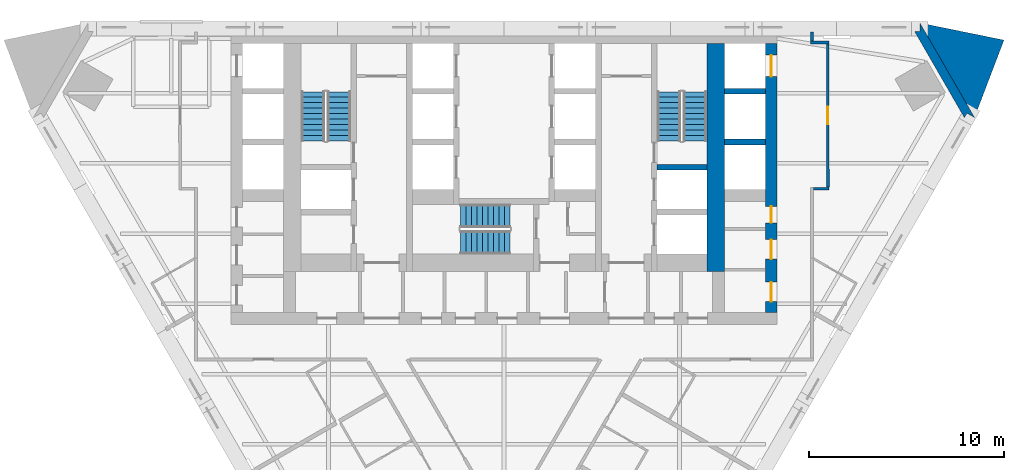
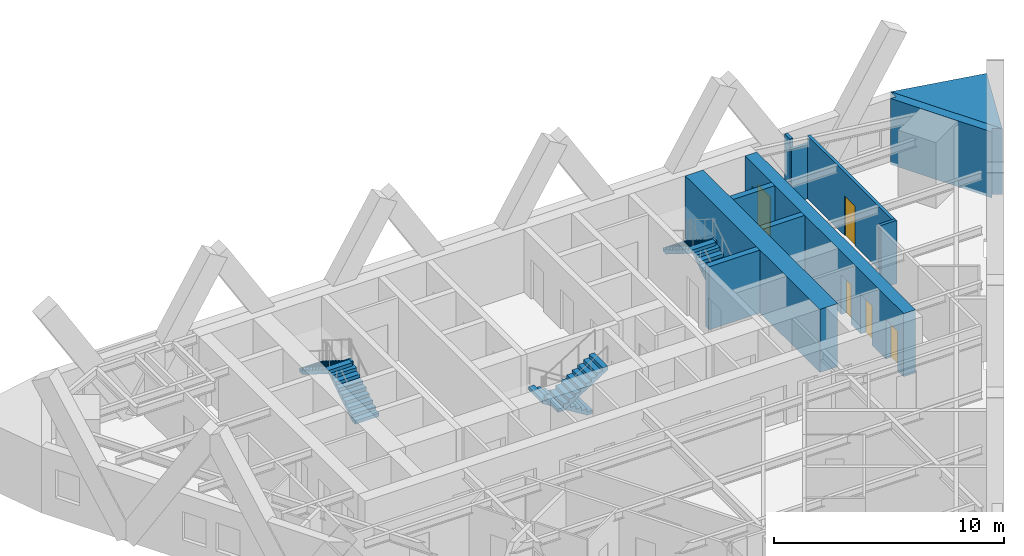
# One storey, part 7 of 8: 11 walls, 6 stair flights, 5 doors, 5 openings, 3 elements without a shape of their own.
"""IFC4 building model written with IfcOpenShell, lengths in metres."""

import ifcopenshell
import ifcopenshell.guid

model = None  # the IFC model being written
_history = None  # IfcOwnerHistory: only IFC2X3 demands one
_inside = {}  # id of a spatial element -> (the spatial element, [elements in it])
_under = {}  # id of a project, library or spatial element -> (it, [spatial elements below it])
_declared = {}  # id of a project -> (the project, [libraries it declares])
_typed = {}  # id of a type object -> (the type object, [elements of that type])
_made_of = {}  # id of a material, layer set ... -> (it, [elements and type objects made of it])


def new_model(schema):
    """Start an empty IFC model of exactly this schema.

    Asked for "IFC4X3", IfcOpenShell would pick the latest addendum, in which some entities
    have other attributes; the version numbers below select the first issue.
    IFC2X3 requires an IfcOwnerHistory on every rooted entity: one is made here for all.
    """
    global model, _history
    if schema == "IFC4X3":
        model = ifcopenshell.file(schema_version=(4, 3, 0, 0))
    else:
        model = ifcopenshell.file(schema=schema)
    _inside.clear()
    _under.clear()
    _declared.clear()
    _typed.clear()
    _made_of.clear()
    _history = None
    if model.schema == "IFC2X3":
        org = make("IfcOrganization", Name="unknown")
        user = make(
            "IfcPersonAndOrganization",
            ThePerson=make("IfcPerson", FamilyName="unknown"),
            TheOrganization=org,
        )
        app = make(
            "IfcApplication",
            ApplicationDeveloper=org,
            Version="unknown",
            ApplicationFullName="unknown",
            ApplicationIdentifier="unknown",
        )
        _history = make(
            "IfcOwnerHistory",
            OwningUser=user,
            OwningApplication=app,
            ChangeAction="ADDED",
            CreationDate=0,
        )
    return model


def make(cls, **values):
    """One entity of the class cls with the attributes given. An attribute that is None is left unset."""
    return model.create_entity(
        cls, **{name: value for name, value in values.items() if value is not None}
    )


def rooted(cls, **values):
    """An entity with a GlobalId (a new one), such as an element, a storey or a relation."""
    return make(cls, GlobalId=ifcopenshell.guid.new(), OwnerHistory=_history, **values)


def si_unit(unit_type, name, prefix=None):
    """IfcSIUnit, for example si_unit("LENGTHUNIT", "METRE", prefix="MILLI")."""
    return make("IfcSIUnit", UnitType=unit_type, Prefix=prefix, Name=name)


def assignment(units):
    """IfcUnitAssignment: the units of a project."""
    return None if units is None else make("IfcUnitAssignment", Units=units)


def point(xyz):
    """IfcCartesianPoint."""
    return None if xyz is None else make("IfcCartesianPoint", Coordinates=xyz)


def direction(xyz):
    """IfcDirection."""
    return None if xyz is None else make("IfcDirection", DirectionRatios=xyz)


def frame(location, z_axis=None, x_axis=None):
    """IfcAxis2Placement3D, a coordinate frame: its origin and axes. An axis left out is left unset."""
    return make(
        "IfcAxis2Placement3D",
        Location=point(location),
        Axis=direction(z_axis),
        RefDirection=direction(x_axis),
    )


def frame_2d(location, x_axis=None):
    """IfcAxis2Placement2D, a coordinate frame in the plane: its origin and x axis."""
    return make(
        "IfcAxis2Placement2D", Location=point(location), RefDirection=direction(x_axis)
    )


def origin():
    """The frame at (0, 0, 0) with its axes left unset."""
    return frame((0.0, 0.0, 0.0))


def place(relative_to, where):
    """IfcLocalPlacement: puts the frame where relative to a parent placement (None: the world)."""
    return make(
        "IfcLocalPlacement", PlacementRelTo=relative_to, RelativePlacement=where
    )


def context(
    kind, dimensions, precision=None, world=None, true_north=None, identifier=None
):
    """IfcGeometricRepresentationContext, for example the 3D "Model" context."""
    return make(
        "IfcGeometricRepresentationContext",
        ContextIdentifier=identifier,
        ContextType=kind,
        CoordinateSpaceDimension=dimensions,
        Precision=precision,
        WorldCoordinateSystem=world,
        TrueNorth=true_north,
    )


def subcontext(parent, identifier, kind, view, scale=None):
    """IfcGeometricRepresentationSubContext, for example "Body" below "Model"."""
    return make(
        "IfcGeometricRepresentationSubContext",
        ContextIdentifier=identifier,
        ContextType=kind,
        ParentContext=parent,
        TargetScale=scale,
        TargetView=view,
    )


def project(units=None, contexts=None):
    """IfcProject with its units and contexts."""
    return rooted(
        "IfcProject",
        Name="project",
        RepresentationContexts=contexts,
        UnitsInContext=assignment(units),
    )


def spatial(cls, under=None, at=None, **own):
    """A site, building, storey or space (cls), placed at a placement, below another one or the project."""
    s = rooted(cls, ObjectPlacement=at, **own)
    if under is not None:
        _under.setdefault(under.id(), (under, []))[1].append(s)
    return s


def polyline(points):
    """IfcPolyline through the points."""
    return make("IfcPolyline", Points=[point(p) for p in points])


def profile(cls, at=None, kind="AREA", **sizes):
    """A parametric profile (cls). Its sizes go by their IFC names, for example OverallWidth=200.0."""
    return make(cls, ProfileType=kind, Position=at, **sizes)


def rectangle(**sizes):
    """IfcRectangleProfileDef."""
    return profile("IfcRectangleProfileDef", **sizes)


def outline(outer, holes=None, kind="AREA"):
    """IfcArbitraryClosedProfileDef: a profile drawn as a closed curve; with holes, ...WithVoids."""
    if holes is None:
        return make("IfcArbitraryClosedProfileDef", ProfileType=kind, OuterCurve=outer)
    return make(
        "IfcArbitraryProfileDefWithVoids",
        ProfileType=kind,
        OuterCurve=outer,
        InnerCurves=holes,
    )


def extrude(swept, where, along, depth):
    """IfcExtrudedAreaSolid: the profile swept, set in the frame where, extruded along a direction by depth."""
    return make(
        "IfcExtrudedAreaSolid",
        SweptArea=swept,
        Position=where,
        ExtrudedDirection=direction(along),
        Depth=depth,
    )


def shape(context_of_items, identifier, shape_type, items):
    """IfcShapeRepresentation: the items that make up one representation, for example the "Body"."""
    return make(
        "IfcShapeRepresentation",
        ContextOfItems=context_of_items,
        RepresentationIdentifier=identifier,
        RepresentationType=shape_type,
        Items=items,
    )


def material(Name=None, Category=None):
    """IfcMaterial."""
    return make("IfcMaterial", Name=Name, Category=Category)


def layer(
    of_material, thickness, ventilated=None, Name=None, Category=None, Priority=None
):
    """IfcMaterialLayer: one layer of a wall or slab, of a material (None: an air gap)."""
    return make(
        "IfcMaterialLayer",
        Material=of_material,
        LayerThickness=thickness,
        IsVentilated=ventilated,
        Name=Name,
        Category=Category,
        Priority=Priority,
    )


def layer_set(layers, Name=None):
    """IfcMaterialLayerSet."""
    return make("IfcMaterialLayerSet", MaterialLayers=layers, LayerSetName=Name)


def made_of(thing, what):
    """Note that an element or type object is made of a material, layer set ...; save() writes the relation."""
    if what is not None:
        _made_of.setdefault(what.id(), (what, []))[1].append(thing)
    return thing


def type_object(cls, material=None, **own):
    """A type object (cls), such as IfcWallType, which elements share."""
    return made_of(rooted(cls, **own), material)


def element(
    cls,
    number,
    at=None,
    inside=None,
    cuts=None,
    type_object=None,
    material=None,
    context=None,
    identifier="Body",
    shape_type=None,
    held_by="IfcProductDefinitionShape",
    body=None,
    shapes=None,
    **own,
):
    """One element of the class cls, such as IfcWall. Its Tag is "e" and its number.

    at: its placement. inside: the storey or other place that contains it. cuts: it is an
    opening in that element (IfcRelVoidsElement). A single representation is given by context,
    identifier, shape_type and body (its items); several are given by shapes. held_by: the class
    of the entity that holds the representations. save() writes the other relations.
    """
    e = rooted(cls, Tag="e%d" % number, ObjectPlacement=at, **own)
    if body is not None:
        shapes = [shape(context, identifier, shape_type, body)]
    if shapes is not None:
        e.Representation = make(held_by, Representations=shapes)
    if inside is not None:
        _inside.setdefault(inside.id(), (inside, []))[1].append(e)
    if cuts is not None:
        rooted(
            "IfcRelVoidsElement", RelatingBuildingElement=cuts, RelatedOpeningElement=e
        )
    if type_object is not None:
        _typed.setdefault(type_object.id(), (type_object, []))[1].append(e)
    return made_of(e, material)


def fill(opening, filler):
    """IfcRelFillsElement: the door or window that sits in an opening."""
    return rooted(
        "IfcRelFillsElement",
        RelatingOpeningElement=opening,
        RelatedBuildingElement=filler,
    )


def aggregate(whole, parts):
    """IfcRelAggregates: a whole, such as a stair, and the parts it consists of."""
    return rooted("IfcRelAggregates", RelatingObject=whole, RelatedObjects=parts)


def save(model, path):
    """Write the relations noted so far, then the file.

    IfcRelAggregates (storeys below a building ...), IfcRelContainedInSpatialStructure (elements
    in a storey), IfcRelDefinesByType, IfcRelAssociatesMaterial and IfcRelDeclares: one each for
    every whole, place, type object, material and project.
    """
    for whole, parts in _under.values():
        aggregate(whole, parts)
    for where, things in _inside.values():
        rooted(
            "IfcRelContainedInSpatialStructure",
            RelatedElements=things,
            RelatingStructure=where,
        )
    for kind, things in _typed.values():
        rooted("IfcRelDefinesByType", RelatedObjects=things, RelatingType=kind)
    for what, things in _made_of.values():
        rooted("IfcRelAssociatesMaterial", RelatedObjects=things, RelatingMaterial=what)
    for by, libraries in _declared.values():
        rooted("IfcRelDeclares", RelatingContext=by, RelatedDefinitions=libraries)
    model.write(path)


model = new_model("IFC4")

# Units and contexts
model_context = context("Model", 3, precision=1e-05, world=origin(), true_north=direction((0.0, 1.0)))
body_context = subcontext(model_context, "Body", "Model", "MODEL_VIEW")
ifc_project = project(units=[si_unit("LENGTHUNIT", "METRE"), si_unit("AREAUNIT", "SQUARE_METRE"), si_unit("VOLUMEUNIT", "CUBIC_METRE"), si_unit("PLANEANGLEUNIT", "RADIAN"), si_unit("MASSUNIT", "GRAM", prefix="KILO")], contexts=[model_context])

# Site, building, storey
site_placement = place(None, origin())
site = spatial("IfcSite", under=ifc_project, at=site_placement, CompositionType="ELEMENT")
building_placement = place(site_placement, origin())
building = spatial("IfcBuilding", under=site, at=building_placement, Name="Aloe Facet Convention Tower", CompositionType="ELEMENT")
storey_placement = place(building_placement, frame((0.0, 0.0, 88.800048828125)))
storey = spatial("IfcBuildingStorey", under=building, at=storey_placement, Name="L21", CompositionType="ELEMENT", Elevation=88.800048828125)

# Walls
ifc_material_1 = material(Name="Concrete C70/85", Category="concrete")
ifc_layer_1 = layer(ifc_material_1, 0.300048828125)
ifc_layer_set_1 = layer_set([ifc_layer_1], Name="CR-W-RC300-C7085")
wall_type_1 = type_object("IfcWallType", Name="CR-W-RC300-C7085", PredefinedType="SOLIDWALL", material=ifc_layer_set_1)
wall_1_placement = place(storey_placement, frame((87.85009765625, 127.60009765625, 0.0), z_axis=(0.0, 0.0, 1.0), x_axis=(1.0, 0.0, 0.0)))
element("IfcWall", 1, at=wall_1_placement, inside=storey, type_object=wall_type_1, Name="Core wall L21-044", PredefinedType="SOLIDWALL", context=body_context, shape_type="SweptSolid", body=[
    extrude(rectangle(XDim=2.5498046875, YDim=0.300048828125, at=frame_2d((1.27490234375, 0.0))), origin(), (0.0, 0.0, 1.0), 3.349853515625),
])
for number, where, z_axis, x_axis, name in (
    (2, (91.300048828125, 131.5, 0.0), (0.0, 0.0, 1.0), (1.0, 0.0, 0.0), "Core wall L21-050"),
    (3, (91.300048828125, 128.89990234375, 0.0), (0.0, 0.0, 1.0), (1.0, 0.0, 0.0), "Core wall L21-051"),
):
    element("IfcWall", number, at=place(storey_placement, frame(where, z_axis=z_axis, x_axis=x_axis)), inside=storey, type_object=wall_type_1, Name=name, PredefinedType="SOLIDWALL", context=body_context, shape_type="SweptSolid", body=[
        extrude(rectangle(XDim=2.099853515625, YDim=0.300048828125, at=frame_2d((1.0498046875, 0.0))), origin(), (0.0, 0.0, 1.0), 3.349853515625),
    ])

# Wall, openings, doors
ifc_material_2 = material(Name="Concrete C70/85", Category="concrete")
ifc_layer_2 = layer(ifc_material_2, 0.60009765625)
ifc_layer_set_2 = layer_set([ifc_layer_2], Name="CR-W-RC600-C7085")
wall_type_2 = type_object("IfcWallType", Name="CR-W-RC600-C7085", PredefinedType="SOLIDWALL", material=ifc_layer_set_2)
wall_2_placement = place(storey_placement, frame((93.699951171875, 133.949951171875, 0.0), z_axis=(0.0, 0.0, 1.0), x_axis=(0.0, -1.0, 0.0)))
wall_2 = element("IfcWall", 4, at=wall_2_placement, inside=storey, type_object=wall_type_2, Name="Core wall L21-055", PredefinedType="SOLIDWALL", context=body_context, shape_type="SweptSolid", body=[
    extrude(rectangle(XDim=13.800048828125, YDim=0.60009765625, at=frame_2d((6.89990234375, 0.0))), origin(), (0.0, 0.0, 1.0), 3.349853515625),
])
opening_1_placement = place(wall_2_placement, frame((0.60009765625, 0.0, 0.0)))
opening_1 = element("IfcOpeningElement", 5, at=opening_1_placement, cuts=wall_2, Name="Opening LD-A8-L21", PredefinedType="OPENING", context=body_context, shape_type="SweptSolid", body=[
    extrude(rectangle(XDim=1.10009765625, YDim=2.10009765625, at=frame_2d((0.550048828125, 1.050048828125))), frame((0.0, 0.31005859375, 0.0), z_axis=(0.0, -1.0, 0.0), x_axis=(1.0, 0.0, 0.0)), (0.0, 0.0, 1.0), 0.6201171875),
])
opening_2_placement = place(wall_2_placement, frame((10.064208984375, 0.0, 0.0)))
opening_2 = element("IfcOpeningElement", 6, at=opening_2_placement, cuts=wall_2, Name="Opening L21-CD09", PredefinedType="OPENING", context=body_context, shape_type="SweptSolid", body=[
    extrude(rectangle(XDim=1.0, YDim=2.10009765625, at=frame_2d((0.5, 1.050048828125))), frame((0.0, 0.31005859375, 0.0), z_axis=(0.0, -1.0, 0.0), x_axis=(1.0, 0.0, 0.0)), (0.0, 0.0, 1.0), 0.6201171875),
])
opening_3_placement = place(wall_2_placement, frame((8.35009765625, 0.0, 0.0)))
opening_3 = element("IfcOpeningElement", 7, at=opening_3_placement, cuts=wall_2, Name="Opening L21-CD10", PredefinedType="OPENING", context=body_context, shape_type="SweptSolid", body=[
    extrude(rectangle(XDim=0.85009765625, YDim=2.10009765625, at=frame_2d((0.425048828125, 1.050048828125))), frame((0.0, 0.31005859375, 0.0), z_axis=(0.0, -1.0, 0.0), x_axis=(1.0, 0.0, 0.0)), (0.0, 0.0, 1.0), 0.6201171875),
])
opening_4_placement = place(wall_2_placement, frame((12.2392578125, 0.0, 0.0)))
opening_4 = element("IfcOpeningElement", 8, at=opening_4_placement, cuts=wall_2, Name="Opening L21-CD11", PredefinedType="OPENING", context=body_context, shape_type="SweptSolid", body=[
    extrude(rectangle(XDim=1.0, YDim=2.10009765625, at=frame_2d((0.5, 1.050048828125))), frame((0.0, 0.31005859375, 0.0), z_axis=(0.0, -1.0, 0.0), x_axis=(1.0, 0.0, 0.0)), (0.0, 0.0, 1.0), 0.6201171875),
])
ifc_material_3 = material(Name="Steel fire-resisting door set FD60", Category="steel")
door_type_1 = type_object("IfcDoorType", Name="CR-D-ROOM-1000-FD60-SLEFT", OperationType="SINGLE_SWING_LEFT", PredefinedType="DOOR", material=ifc_material_3)
door_1_placement = place(opening_2_placement, origin())
door_1 = element("IfcDoor", 9, at=door_1_placement, inside=storey, type_object=door_type_1, Name="Core door L21-CD09", OperationType="SINGLE_SWING_LEFT", OverallHeight=2.10009765625, OverallWidth=1.0, PredefinedType="DOOR", context=body_context, shape_type="SweptSolid", body=[
    extrude(rectangle(XDim=1.0, YDim=2.10009765625, at=frame_2d((0.5, 1.050048828125))), frame((0.0, 0.02490234375, 0.0), z_axis=(0.0, -1.0, 0.0), x_axis=(1.0, 0.0, 0.0)), (0.0, 0.0, 1.0), 0.050048828125),
])
fill(opening_2, door_1)
door_2_placement = place(opening_4_placement, origin())
door_2 = element("IfcDoor", 10, at=door_2_placement, inside=storey, type_object=door_type_1, Name="Core door L21-CD11", OperationType="SINGLE_SWING_LEFT", OverallHeight=2.10009765625, OverallWidth=1.0, PredefinedType="DOOR", context=body_context, shape_type="SweptSolid", body=[
    extrude(rectangle(XDim=1.0, YDim=2.10009765625, at=frame_2d((0.5, 1.050048828125))), frame((0.0, 0.02490234375, 0.0), z_axis=(0.0, -1.0, 0.0), x_axis=(1.0, 0.0, 0.0)), (0.0, 0.0, 1.0), 0.050048828125),
])
fill(opening_4, door_2)
ifc_material_4 = material(Name="Steel fire-resisting door set FD60", Category="steel")
door_type_2 = type_object("IfcDoorType", Name="CR-D-ROOM-850-FD60-SLEFT", OperationType="SINGLE_SWING_LEFT", PredefinedType="DOOR", material=ifc_material_4)
door_3_placement = place(opening_3_placement, origin())
door_3 = element("IfcDoor", 11, at=door_3_placement, inside=storey, type_object=door_type_2, Name="Core door L21-CD10", OperationType="SINGLE_SWING_LEFT", OverallHeight=2.10009765625, OverallWidth=0.85009765625, PredefinedType="DOOR", context=body_context, shape_type="SweptSolid", body=[
    extrude(rectangle(XDim=0.85009765625, YDim=2.10009765625, at=frame_2d((0.425048828125, 1.050048828125))), frame((0.0, 0.02490234375, 0.0), z_axis=(0.0, -1.0, 0.0), x_axis=(1.0, 0.0, 0.0)), (0.0, 0.0, 1.0), 0.050048828125),
])
fill(opening_3, door_3)
ifc_material_5 = material(Name="Stainless steel sliding landing door", Category="steel")
door_type_3 = type_object("IfcDoorType", Name="CR-LD-1100-FD60-_LEFT", OperationType="SLIDING_TO_LEFT", PredefinedType="DOOR", material=ifc_material_5)
door_4_placement = place(opening_1_placement, origin())
door_4 = element("IfcDoor", 12, at=door_4_placement, inside=storey, type_object=door_type_3, Name="Landing door A8 L21", OperationType="SLIDING_TO_LEFT", OverallHeight=2.10009765625, OverallWidth=1.10009765625, PredefinedType="DOOR", context=body_context, shape_type="SweptSolid", body=[
    extrude(rectangle(XDim=1.10009765625, YDim=2.10009765625, at=frame_2d((0.550048828125, 1.050048828125))), frame((0.0, 0.02490234375, 0.0), z_axis=(0.0, -1.0, 0.0), x_axis=(1.0, 0.0, 0.0)), (0.0, 0.0, 1.0), 0.050048828125),
])
fill(opening_1, door_4)

# Walls
ifc_material_6 = material(Name="Concrete C70/85", Category="concrete")
ifc_layer_3 = layer(ifc_material_6, 0.89990234375)
ifc_layer_set_3 = layer_set([ifc_layer_3], Name="CR-W-RC900-C7085")
wall_type_3 = type_object("IfcWallType", Name="CR-W-RC900-C7085", PredefinedType="SOLIDWALL", material=ifc_layer_set_3)
wall_3_placement = place(storey_placement, frame((90.85009765625, 133.949951171875, 0.0), z_axis=(0.0, 0.0, 1.0), x_axis=(0.0, -1.0, 0.0)))
element("IfcWall", 13, at=wall_3_placement, inside=storey, type_object=wall_type_3, Name="Core wall L21-048", PredefinedType="SOLIDWALL", context=body_context, shape_type="SweptSolid", body=[
    extrude(rectangle(XDim=11.699951171875, YDim=0.89990234375, at=frame_2d((5.85009765625, 0.0))), origin(), (0.0, 0.0, 1.0), 3.349853515625),
])
ifc_material_7 = material(Name="Precast concrete C40/50", Category="concrete")
ifc_layer_4 = layer(ifc_material_7, 0.449951171875)
ifc_layer_set_4 = layer_set([ifc_layer_4], Name="EV-WALL-PIER")
wall_type_4 = type_object("IfcWallType", Name="EV-WALL-PIER", PredefinedType="SOLIDWALL", material=ifc_layer_set_4)
wall_4_placement = place(storey_placement, frame((0.0, 0.0, -0.150146484375)))
element("IfcWall", 14, at=wall_4_placement, inside=storey, type_object=wall_type_4, Name="EP-L21-C", PredefinedType="SOLIDWALL", context=body_context, shape_type="SweptSolid", body=[
    extrude(outline(polyline([(104.12158203125, 130.150146484375), (103.73193359375, 130.375244140625), (103.601806640625, 130.150146484375), (101.061767578125, 134.550048828125), (101.321533203125, 134.550048828125), (101.321533203125, 135.0), (104.12158203125, 130.150146484375)])), origin(), (0.0, 0.0, 1.0), 3.5),
])
ifc_material_8 = material(Name="Precast concrete C40/50", Category="concrete")
ifc_layer_5 = layer(ifc_material_8, 3.947998046875)
ifc_layer_set_5 = layer_set([ifc_layer_5], Name="EV-WALL-SPINE")
wall_type_5 = type_object("IfcWallType", Name="EV-WALL-SPINE", PredefinedType="SOLIDWALL", material=ifc_layer_set_5)
wall_5_placement = place(storey_placement, frame((0.0, 0.0, -0.150146484375)))
element("IfcWall", 15, at=wall_5_placement, inside=storey, type_object=wall_type_5, Name="SP-NE-L21", PredefinedType="SOLIDWALL", context=body_context, shape_type="SweptSolid", body=[
    extrude(outline(polyline([(104.12158203125, 130.150146484375), (105.634033203125, 134.12109375), (101.321533203125, 135.0), (104.12158203125, 130.150146484375)])), origin(), (0.0, 0.0, 1.0), 3.5),
])
ifc_material_9 = material(Name="Gypsum board partition on steel studs", Category="steel")
ifc_layer_6 = layer(ifc_material_9, 0.14990234375)
ifc_layer_set_6 = layer_set([ifc_layer_6], Name="IN-W-CORR")
wall_type_6 = type_object("IfcWallType", Name="IN-W-CORR", PredefinedType="PARTITIONING", material=ifc_layer_set_6)
wall_6_placement = place(storey_placement, frame((95.875, 126.5, 0.0), z_axis=(0.0, 0.0, 1.0), x_axis=(0.999999813758, 0.000610314198, 0.0)))
element("IfcWall", 16, at=wall_6_placement, inside=storey, type_object=wall_type_6, Name="Partition L21-W064", PredefinedType="PARTITIONING", context=body_context, shape_type="SweptSolid", body=[
    extrude(rectangle(XDim=0.800048828125, YDim=0.14990234375, at=frame_2d((0.39990234375, 0.0))), origin(), (0.0, 0.0, 1.0), 3.349853515625),
])
wall_7_placement = place(storey_placement, frame((95.72509765625, 134.0, 0.0), z_axis=(0.0, 0.0, 1.0), x_axis=(1.0, 0.0, 0.0)))
element("IfcWall", 17, at=wall_7_placement, inside=storey, type_object=wall_type_6, Name="Partition L21-W067", PredefinedType="PARTITIONING", context=body_context, shape_type="SweptSolid", body=[
    extrude(rectangle(XDim=0.949462890625, YDim=0.14990234375, at=frame_2d((0.474609375, 0.0))), origin(), (0.0, 0.0, 1.0), 2.886474609375),
])

# Wall, opening, door
wall_8_placement = place(storey_placement, frame((96.599609375, 133.925048828125, 0.0), z_axis=(0.0, 0.0, 1.0), x_axis=(6.6436354e-05, -0.999999997793, 0.0)))
wall_8 = element("IfcWall", 18, at=wall_8_placement, inside=storey, type_object=wall_type_6, Name="Partition L21-W068", PredefinedType="PARTITIONING", context=body_context, shape_type="SweptSolid", body=[
    extrude(rectangle(XDim=7.349609375, YDim=0.14990234375, at=frame_2d((3.6748046875, 0.0))), origin(), (0.0, 0.0, 1.0), 3.349853515625),
])
opening_5_placement = place(wall_8_placement, frame((3.224853515625, 0.0, 0.0)))
opening_5 = element("IfcOpeningElement", 19, at=opening_5_placement, cuts=wall_8, Name="Opening L21-007", PredefinedType="OPENING", context=body_context, shape_type="SweptSolid", body=[
    extrude(rectangle(XDim=0.89990234375, YDim=2.10009765625, at=frame_2d((0.449951171875, 1.050048828125))), frame((0.0, 0.0849609375, 0.0), z_axis=(0.0, -1.0, 0.0), x_axis=(1.0, 0.0, 0.0)), (0.0, 0.0, 1.0), 0.169921875),
])
ifc_material_10 = material(Name="Hardwood flush door FD30S", Category="wood")
door_type_4 = type_object("IfcDoorType", Name="IN-D-GUEST", OperationType="SINGLE_SWING_LEFT", PredefinedType="DOOR", material=ifc_material_10)
door_5_placement = place(opening_5_placement, origin())
door_5 = element("IfcDoor", 20, at=door_5_placement, inside=storey, type_object=door_type_4, Name="Door L21-007", OperationType="SINGLE_SWING_LEFT", OverallHeight=2.10009765625, OverallWidth=0.89990234375, PredefinedType="DOOR", context=body_context, shape_type="SweptSolid", body=[
    extrude(rectangle(XDim=0.89990234375, YDim=2.10009765625, at=frame_2d((0.449951171875, 1.050048828125))), frame((0.0, 0.02490234375, 0.0), z_axis=(0.0, -1.0, 0.0), x_axis=(1.0, 0.0, 0.0)), (0.0, 0.0, 1.0), 0.050048828125),
])
fill(opening_5, door_5)

# Wall
wall_9_placement = place(storey_placement, frame((95.800048828125, 134.074951171875, 0.0), z_axis=(0.0, 0.0, 1.0), x_axis=(0.0, 1.0, 0.0)))
element("IfcWall", 21, at=wall_9_placement, inside=storey, type_object=wall_type_6, Name="Partition L21-W069", PredefinedType="PARTITIONING", context=body_context, shape_type="SweptSolid", body=[
    extrude(rectangle(XDim=0.465087890625, YDim=0.14990234375, at=frame_2d((0.232421875, 0.0))), origin(), (0.0, 0.0, 1.0), 3.349853515625),
])

# Stair, stair flights
ifc_material_11 = material(Name="Concrete C50/60", Category="concrete")
stair_type = type_object("IfcStairType", Name="CR-ST-20R", PredefinedType="HALF_TURN_STAIR", material=ifc_material_11)
stair_1_placement = place(storey_placement, origin())
stair_1 = element("IfcStair", 22, at=stair_1_placement, inside=storey, type_object=stair_type, Name="L21 Protected exit stair ST1", PredefinedType="HALF_TURN_STAIR")
ifc_material_12 = material(Name="Concrete C50/60", Category="concrete")
stair_flight_type = type_object("IfcStairFlightType", Name="CR-SFL-20R", PredefinedType="STRAIGHT", material=ifc_material_12)
stair_flight_1_placement = place(storey_placement, frame((71.550048828125, 128.949951171875, 0.0), z_axis=(0.0, 0.0, 1.0), x_axis=(0.0, 1.0, 0.0)))
stair_flight_1 = element("IfcStairFlight", 23, at=stair_flight_1_placement, type_object=stair_flight_type, Name="ST1 flight 1", NumberOfRisers=10, NumberOfTreads=9, PredefinedType="STRAIGHT", RiserHeight=0.175, TreadLength=0.28, context=body_context, shape_type="SweptSolid", body=[
    extrude(outline(polyline([(0.0, 0.0), (0.0, 0.175048828125), (0.280029296875, 0.175048828125), (0.280029296875, 0.35009765625), (0.56005859375, 0.35009765625), (0.56005859375, 0.52490234375), (0.840087890625, 0.52490234375), (0.840087890625, 0.699951171875), (1.1201171875, 0.699951171875), (1.1201171875, 0.875), (1.39990234375, 0.875), (1.39990234375, 1.050048828125), (1.679931640625, 1.050048828125), (1.679931640625, 1.22509765625), (1.9599609375, 1.22509765625), (1.9599609375, 1.39990234375), (2.239990234375, 1.39990234375), (2.239990234375, 1.574951171875), (2.52001953125, 1.574951171875), (2.52001953125, 1.75), (2.52001953125, 1.398193359375), (0.28271484375, 0.0), (0.0, 0.0)])), frame((0.0, 0.60009765625, 0.0), z_axis=(0.0, -1.0, 0.0), x_axis=(1.0, 0.0, 0.0)), (0.0, 0.0, 1.0), 1.199951171875),
])
stair_flight_2_placement = place(storey_placement, frame((70.199951171875, 131.469970703125, 1.75), z_axis=(0.0, 0.0, 1.0), x_axis=(0.0, -1.0, 0.0)))
stair_flight_2 = element("IfcStairFlight", 24, at=stair_flight_2_placement, type_object=stair_flight_type, Name="ST1 flight 2", NumberOfRisers=10, NumberOfTreads=9, PredefinedType="STRAIGHT", RiserHeight=0.175, TreadLength=0.28, context=body_context, shape_type="SweptSolid", body=[
    extrude(outline(polyline([(0.0, 0.0), (0.0, 0.175048828125), (0.280029296875, 0.175048828125), (0.280029296875, 0.35009765625), (0.56005859375, 0.35009765625), (0.56005859375, 0.52490234375), (0.840087890625, 0.52490234375), (0.840087890625, 0.699951171875), (1.1201171875, 0.699951171875), (1.1201171875, 0.875), (1.39990234375, 0.875), (1.39990234375, 1.050048828125), (1.679931640625, 1.050048828125), (1.679931640625, 1.22509765625), (1.9599609375, 1.22509765625), (1.9599609375, 1.39990234375), (2.239990234375, 1.39990234375), (2.239990234375, 1.574951171875), (2.52001953125, 1.574951171875), (2.52001953125, 1.75), (2.52001953125, 1.398193359375), (0.28271484375, 0.0), (0.0, 0.0)])), frame((0.0, 0.60009765625, 0.0), z_axis=(0.0, -1.0, 0.0), x_axis=(1.0, 0.0, 0.0)), (0.0, 0.0, 1.0), 1.199951171875),
])
aggregate(stair_1, [stair_flight_1, stair_flight_2])

stair_2_placement = place(storey_placement, origin())
stair_2 = element("IfcStair", 25, at=stair_2_placement, inside=storey, type_object=stair_type, Name="L21 Protected exit stair ST2", PredefinedType="HALF_TURN_STAIR")
stair_flight_3_placement = place(storey_placement, frame((89.800048828125, 128.949951171875, 0.0), z_axis=(0.0, 0.0, 1.0), x_axis=(0.0, 1.0, 0.0)))
stair_flight_3 = element("IfcStairFlight", 26, at=stair_flight_3_placement, type_object=stair_flight_type, Name="ST2 flight 1", NumberOfRisers=10, NumberOfTreads=9, PredefinedType="STRAIGHT", RiserHeight=0.175, TreadLength=0.28, context=body_context, shape_type="SweptSolid", body=[
    extrude(outline(polyline([(0.0, 0.0), (0.0, 0.175048828125), (0.280029296875, 0.175048828125), (0.280029296875, 0.35009765625), (0.56005859375, 0.35009765625), (0.56005859375, 0.52490234375), (0.840087890625, 0.52490234375), (0.840087890625, 0.699951171875), (1.1201171875, 0.699951171875), (1.1201171875, 0.875), (1.39990234375, 0.875), (1.39990234375, 1.050048828125), (1.679931640625, 1.050048828125), (1.679931640625, 1.22509765625), (1.9599609375, 1.22509765625), (1.9599609375, 1.39990234375), (2.239990234375, 1.39990234375), (2.239990234375, 1.574951171875), (2.52001953125, 1.574951171875), (2.52001953125, 1.75), (2.52001953125, 1.398193359375), (0.28271484375, 0.0), (0.0, 0.0)])), frame((0.0, 0.60009765625, 0.0), z_axis=(0.0, -1.0, 0.0), x_axis=(1.0, 0.0, 0.0)), (0.0, 0.0, 1.0), 1.199951171875),
])
stair_flight_4_placement = place(storey_placement, frame((88.449951171875, 131.469970703125, 1.75), z_axis=(0.0, 0.0, 1.0), x_axis=(0.0, -1.0, 0.0)))
stair_flight_4 = element("IfcStairFlight", 27, at=stair_flight_4_placement, type_object=stair_flight_type, Name="ST2 flight 2", NumberOfRisers=10, NumberOfTreads=9, PredefinedType="STRAIGHT", RiserHeight=0.175, TreadLength=0.28, context=body_context, shape_type="SweptSolid", body=[
    extrude(outline(polyline([(0.0, 0.0), (0.0, 0.175048828125), (0.280029296875, 0.175048828125), (0.280029296875, 0.35009765625), (0.56005859375, 0.35009765625), (0.56005859375, 0.52490234375), (0.840087890625, 0.52490234375), (0.840087890625, 0.699951171875), (1.1201171875, 0.699951171875), (1.1201171875, 0.875), (1.39990234375, 0.875), (1.39990234375, 1.050048828125), (1.679931640625, 1.050048828125), (1.679931640625, 1.22509765625), (1.9599609375, 1.22509765625), (1.9599609375, 1.39990234375), (2.239990234375, 1.39990234375), (2.239990234375, 1.574951171875), (2.52001953125, 1.574951171875), (2.52001953125, 1.75), (2.52001953125, 1.398193359375), (0.28271484375, 0.0), (0.0, 0.0)])), frame((0.0, 0.60009765625, 0.0), z_axis=(0.0, -1.0, 0.0), x_axis=(1.0, 0.0, 0.0)), (0.0, 0.0, 1.0), 1.199951171875),
])
aggregate(stair_2, [stair_flight_3, stair_flight_4])

stair_3_placement = place(storey_placement, origin())
stair_3 = element("IfcStair", 28, at=stair_3_placement, inside=storey, type_object=stair_type, Name="L21 Protected exit stair ST3", PredefinedType="HALF_TURN_STAIR")
stair_flight_5_placement = place(storey_placement, frame((80.300048828125, 125.10009765625, 0.0), z_axis=(0.0, 0.0, 1.0), x_axis=(-1.0, 0.0, 0.0)))
stair_flight_5 = element("IfcStairFlight", 29, at=stair_flight_5_placement, type_object=stair_flight_type, Name="ST3 flight 1", NumberOfRisers=10, NumberOfTreads=9, PredefinedType="STRAIGHT", RiserHeight=0.175, TreadLength=0.28, context=body_context, shape_type="SweptSolid", body=[
    extrude(outline(polyline([(0.0, 0.0), (0.0, 0.175048828125), (0.280029296875, 0.175048828125), (0.280029296875, 0.35009765625), (0.56005859375, 0.35009765625), (0.56005859375, 0.52490234375), (0.840087890625, 0.52490234375), (0.840087890625, 0.699951171875), (1.1201171875, 0.699951171875), (1.1201171875, 0.875), (1.39990234375, 0.875), (1.39990234375, 1.050048828125), (1.679931640625, 1.050048828125), (1.679931640625, 1.22509765625), (1.9599609375, 1.22509765625), (1.9599609375, 1.39990234375), (2.239990234375, 1.39990234375), (2.239990234375, 1.574951171875), (2.52001953125, 1.574951171875), (2.52001953125, 1.75), (2.52001953125, 1.398193359375), (0.28271484375, 0.0), (0.0, 0.0)])), frame((0.0, 0.60009765625, 0.0), z_axis=(0.0, -1.0, 0.0), x_axis=(1.0, 0.0, 0.0)), (0.0, 0.0, 1.0), 1.199951171875),
])
stair_flight_6_placement = place(storey_placement, frame((77.780029296875, 123.75, 1.75), z_axis=(0.0, 0.0, 1.0), x_axis=(1.0, 0.0, 0.0)))
stair_flight_6 = element("IfcStairFlight", 30, at=stair_flight_6_placement, type_object=stair_flight_type, Name="ST3 flight 2", NumberOfRisers=10, NumberOfTreads=9, PredefinedType="STRAIGHT", RiserHeight=0.175, TreadLength=0.28, context=body_context, shape_type="SweptSolid", body=[
    extrude(outline(polyline([(0.0, 0.0), (0.0, 0.175048828125), (0.280029296875, 0.175048828125), (0.280029296875, 0.35009765625), (0.56005859375, 0.35009765625), (0.56005859375, 0.52490234375), (0.840087890625, 0.52490234375), (0.840087890625, 0.699951171875), (1.1201171875, 0.699951171875), (1.1201171875, 0.875), (1.39990234375, 0.875), (1.39990234375, 1.050048828125), (1.679931640625, 1.050048828125), (1.679931640625, 1.22509765625), (1.9599609375, 1.22509765625), (1.9599609375, 1.39990234375), (2.239990234375, 1.39990234375), (2.239990234375, 1.574951171875), (2.52001953125, 1.574951171875), (2.52001953125, 1.75), (2.52001953125, 1.398193359375), (0.28271484375, 0.0), (0.0, 0.0)])), frame((0.0, 0.60009765625, 0.0), z_axis=(0.0, -1.0, 0.0), x_axis=(1.0, 0.0, 0.0)), (0.0, 0.0, 1.0), 1.199951171875),
])
aggregate(stair_3, [stair_flight_5, stair_flight_6])

save(model, "model.ifc")
